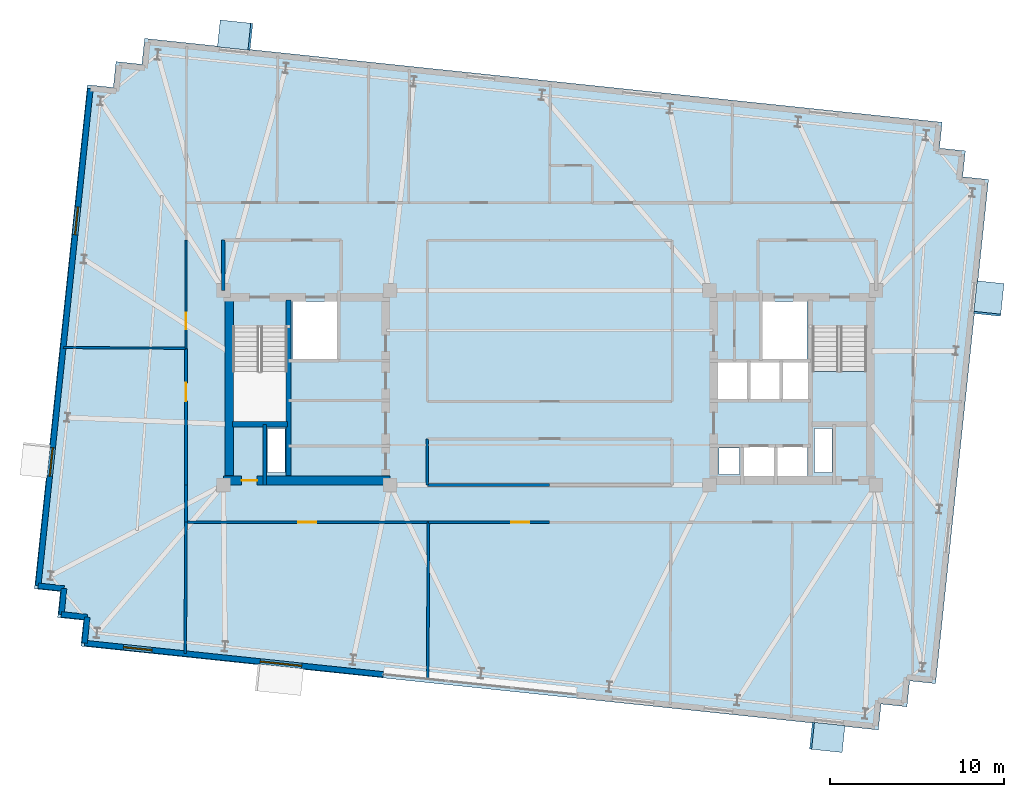
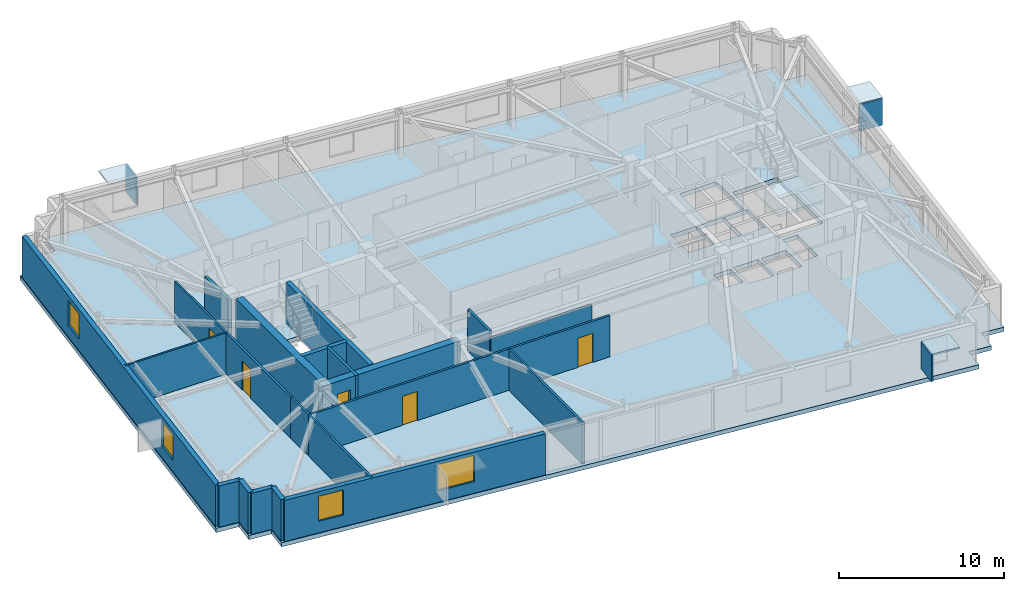
# One storey, part 7 of 12: 22 walls, 6 plates, 5 doors, 4 windows, 2 slabs, 9 openings, 1 element without a shape of its own.
"""IFC4 building model written with IfcOpenShell, lengths in metres."""

from ifc_helpers import new_model, si_unit, direction, frame, frame_2d, origin, origin_2d, place, context, subcontext, project, spatial, polyline, rectangle, outline, extrude, material, layer, layer_set, type_object, element, fill, aggregate, save


model = new_model("IFC4")

# Units and contexts
model_context = context("Model", 3, precision=1e-05, world=origin(), true_north=direction((0.0, 1.0)))
body_context = subcontext(model_context, "Body", "Model", "MODEL_VIEW")
ifc_project = project(units=[si_unit("LENGTHUNIT", "METRE"), si_unit("AREAUNIT", "SQUARE_METRE"), si_unit("VOLUMEUNIT", "CUBIC_METRE"), si_unit("PLANEANGLEUNIT", "RADIAN"), si_unit("MASSUNIT", "GRAM", prefix="KILO")], contexts=[model_context])

# Site, building, storey
site_placement = place(None, origin())
site = spatial("IfcSite", under=ifc_project, at=site_placement, CompositionType="ELEMENT")
building_placement = place(site_placement, origin())
building = spatial("IfcBuilding", under=site, at=building_placement, Name="Qobustan Lattice House", CompositionType="ELEMENT")
storey_placement = place(building_placement, frame((0.0, 0.0, 203.10009765625)))
storey = spatial("IfcBuildingStorey", under=building, at=storey_placement, Name="L57", CompositionType="ELEMENT", Elevation=203.10009765625)

# Plates
ifc_material_1 = material(Name="Qobustan limestone GFRC", Category="masonry")
ifc_layer_1 = layer(ifc_material_1, 0.1201171875)
ifc_layer_set_1 = layer_set([ifc_layer_1], Name="Qobustan limestone GFRC")
plate_type = type_object("IfcPlateType", Name="SHD-HOOD-BROW", PredefinedType="USERDEFINED", material=ifc_layer_set_1)
plate_1_placement = place(storey_placement, frame((-18.12158203125, 20.304443359375, 2.699951171875), z_axis=(0.0, 0.0, 1.0), x_axis=(0.994521895368, -0.104528463268, 0.0)))
element("IfcPlate", 1, at=plate_1_placement, inside=storey, type_object=plate_type, Name="L57 splayed Qobustan stone hood brow", ObjectType="SUNSHADE", PredefinedType="USERDEFINED", context=body_context, shape_type="SweptSolid", body=[
    extrude(rectangle(XDim=1.889892578125, YDim=1.56005859375, at=origin_2d()), origin(), (0.0, 0.0, 1.0), 0.1201171875),
])
plate_2_placement = place(storey_placement, frame((-17.2412109375, 20.2119140625, 0.7900390625), z_axis=(0.0, 0.0, 1.0), x_axis=(0.994521895368, -0.104528463268, 0.0)))
element("IfcPlate", 2, at=plate_2_placement, inside=storey, type_object=plate_type, Name="L57 splayed Qobustan stone hood cheek", ObjectType="SUNSHADE", PredefinedType="USERDEFINED", context=body_context, shape_type="SweptSolid", body=[
    extrude(rectangle(XDim=0.1201171875, YDim=1.56005859375, at=origin_2d()), origin(), (0.0, 0.0, 1.0), 1.969970703125),
])
plate_3_placement = place(storey_placement, frame((25.29638671875, 5.134521484375, 2.699951171875), z_axis=(0.0, 0.0, 1.0), x_axis=(-0.104528463268, -0.994521895368, 0.0)))
element("IfcPlate", 3, at=plate_3_placement, inside=storey, type_object=plate_type, Name="L57 splayed Qobustan stone hood brow", ObjectType="SUNSHADE", PredefinedType="USERDEFINED", context=body_context, shape_type="SweptSolid", body=[
    extrude(rectangle(XDim=1.889892578125, YDim=1.56005859375, at=origin_2d()), origin(), (0.0, 0.0, 1.0), 0.1201171875),
])
plate_4_placement = place(storey_placement, frame((25.203857421875, 4.25439453125, 0.7900390625), z_axis=(0.0, 0.0, 1.0), x_axis=(-0.104528463268, -0.994521895368, 0.0)))
element("IfcPlate", 4, at=plate_4_placement, inside=storey, type_object=plate_type, Name="L57 splayed Qobustan stone hood cheek", ObjectType="SUNSHADE", PredefinedType="USERDEFINED", context=body_context, shape_type="SweptSolid", body=[
    extrude(rectangle(XDim=0.1201171875, YDim=1.56005859375, at=origin_2d()), origin(), (0.0, 0.0, 1.0), 1.969970703125),
])
plate_5_placement = place(storey_placement, frame((15.990234375, -20.142822265625, 2.699951171875), z_axis=(0.0, 0.0, 1.0), x_axis=(-0.994521895368, 0.104528463268, 0.0)))
element("IfcPlate", 5, at=plate_5_placement, inside=storey, type_object=plate_type, Name="L57 splayed Qobustan stone hood brow", ObjectType="SUNSHADE", PredefinedType="USERDEFINED", context=body_context, shape_type="SweptSolid", body=[
    extrude(rectangle(XDim=1.889892578125, YDim=1.56005859375, at=origin_2d()), origin(), (0.0, 0.0, 1.0), 0.1201171875),
])
plate_6_placement = place(storey_placement, frame((15.110107421875, -20.05029296875, 0.7900390625), z_axis=(0.0, 0.0, 1.0), x_axis=(-0.994521895368, 0.104528463268, 0.0)))
element("IfcPlate", 6, at=plate_6_placement, inside=storey, type_object=plate_type, Name="L57 splayed Qobustan stone hood cheek", ObjectType="SUNSHADE", PredefinedType="USERDEFINED", context=body_context, shape_type="SweptSolid", body=[
    extrude(rectangle(XDim=0.1201171875, YDim=1.56005859375, at=origin_2d()), origin(), (0.0, 0.0, 1.0), 1.969970703125),
])

# Slab
ifc_material_2 = material(Name="Concrete C40/50", Category="concrete")
ifc_layer_2 = layer(ifc_material_2, 0.31005859375)
ifc_layer_set_2 = layer_set([ifc_layer_2], Name="Concrete C40/50")
slab_type_1 = type_object("IfcSlabType", Name="SLB-FLR-310", PredefinedType="FLOOR", material=ifc_layer_set_2)
slab_1_placement = place(storey_placement, frame((0.0, 0.0, -0.31005859375)))
element("IfcSlab", 7, at=slab_1_placement, inside=storey, type_object=slab_type_1, Name="L57 structural floor slab", PredefinedType="FLOOR", context=body_context, shape_type="SweptSolid", body=[
    extrude(outline(polyline([(-27.01318359375, -14.888916015625), (18.933837890625, -19.71826171875), (19.090576171875, -18.226318359375), (20.582275390625, -18.38330078125), (20.739013671875, -16.891357421875), (22.23095703125, -17.048095703125), (25.283203125, 11.99169921875), (23.79150390625, 12.148681640625), (23.947998046875, 13.640380859375), (22.456298828125, 13.797119140625), (22.61328125, 15.2890625), (-23.333740234375, 20.1181640625), (-23.490478515625, 18.62646484375), (-24.982421875, 18.783203125), (-25.13916015625, 17.29150390625), (-26.630859375, 17.4482421875), (-29.68310546875, -11.591796875), (-28.19140625, -11.74853515625), (-28.34814453125, -13.240478515625), (-26.8564453125, -13.397216796875), (-27.01318359375, -14.888916015625)]), holes=[polyline([(-18.25, -2.050048828125), (-18.25, 3.489990234375), (-15.1298828125, 3.489990234375), (-15.1298828125, -2.050048828125), (-18.25, -2.050048828125)]), polyline([(15.1298828125, -2.050048828125), (15.1298828125, 3.489990234375), (18.25, 3.489990234375), (18.25, -2.050048828125), (15.1298828125, -2.050048828125)]), polyline([(-14.820068359375, 1.64990234375), (-14.820068359375, 4.9599609375), (-12.25, 4.9599609375), (-12.25, 1.64990234375), (-14.820068359375, 1.64990234375)]), polyline([(12.25, 1.64990234375), (12.25, 4.9599609375), (14.820068359375, 4.9599609375), (14.820068359375, 1.64990234375), (12.25, 1.64990234375)]), polyline([(-16.260009765625, -4.8798828125), (-16.260009765625, -2.360107421875), (-15.260009765625, -2.360107421875), (-15.260009765625, -4.8798828125), (-16.260009765625, -4.8798828125)]), polyline([(15.260009765625, -4.8798828125), (15.260009765625, -2.360107421875), (16.260009765625, -2.360107421875), (16.260009765625, -4.8798828125), (15.260009765625, -4.8798828125)]), polyline([(11.179931640625, -5.35009765625), (11.179931640625, -3.419921875), (12.919921875, -3.419921875), (12.919921875, -5.35009765625), (11.179931640625, -5.35009765625)]), polyline([(13.1201171875, -5.35009765625), (13.1201171875, -3.419921875), (14.85009765625, -3.419921875), (14.85009765625, -5.35009765625), (13.1201171875, -5.35009765625)]), polyline([(9.760009765625, -5.0), (9.760009765625, -3.47998046875), (10.93994140625, -3.47998046875), (10.93994140625, -5.0), (9.760009765625, -5.0)]), polyline([(13.360107421875, -0.679931640625), (13.360107421875, 1.47998046875), (14.97998046875, 1.47998046875), (14.97998046875, -0.679931640625), (13.360107421875, -0.679931640625)]), polyline([(9.6201171875, -0.679931640625), (9.6201171875, 1.47998046875), (11.43994140625, 1.47998046875), (11.43994140625, -0.679931640625), (9.6201171875, -0.679931640625)]), polyline([(11.5, -0.679931640625), (11.5, 1.47998046875), (13.320068359375, 1.47998046875), (13.320068359375, -0.679931640625), (11.5, -0.679931640625)])]), origin(), (0.0, 0.0, 1.0), 0.31005859375),
])

# Stair, slab
ifc_material_3 = material(Name="Concrete C40/50", Category="concrete")
stair_type = type_object("IfcStairType", Name="STR-CORE-DOGLEG", PredefinedType="HALF_TURN_STAIR", material=ifc_material_3)
stair_placement = place(storey_placement, origin())
stair = element("IfcStair", 8, at=stair_placement, inside=storey, type_object=stair_type, Name="L57 East protected exit stair ST-E1", PredefinedType="HALF_TURN_STAIR")
ifc_material_4 = material(Name="Concrete C40/50", Category="concrete")
ifc_layer_3 = layer(ifc_material_4, 0.199951171875)
ifc_layer_set_3 = layer_set([ifc_layer_3], Name="Concrete C40/50")
slab_type_2 = type_object("IfcSlabType", Name="SLB-LANDING-200", PredefinedType="LANDING", material=ifc_layer_set_3)
slab_2_placement = place(storey_placement, frame((0.0, 0.0, 1.474853515625)))
slab_2 = element("IfcSlab", 9, at=slab_2_placement, type_object=slab_type_2, Name="ST-E1 landing 1", PredefinedType="LANDING", context=body_context, shape_type="SweptSolid", body=[
    extrude(outline(polyline([(15.1298828125, 0.93505859375), (15.1298828125, -2.050048828125), (18.25, -2.050048828125), (18.25, 0.93505859375), (15.1298828125, 0.93505859375)])), origin(), (0.0, 0.0, 1.0), 0.199951171875),
])
aggregate(stair, [slab_2])

# Wall, opening, door
ifc_material_5 = material(Name="Concrete C50/60", Category="concrete")
ifc_layer_4 = layer(ifc_material_5, 0.5)
ifc_layer_set_4 = layer_set([ifc_layer_4], Name="Concrete C50/60")
wall_type_1 = type_object("IfcWallType", Name="WAL-CORE-500", PredefinedType="SHEAR", material=ifc_layer_set_4)
wall_1_placement = place(storey_placement, frame((-18.800048828125, -5.35009765625, 0.0), z_axis=(0.0, 0.0, 1.0), x_axis=(1.0, 0.0, 0.0)))
wall_1 = element("IfcWall", 10, at=wall_1_placement, inside=storey, type_object=wall_type_1, Name="L57 split-core shear wall CW-S", PredefinedType="SHEAR", context=body_context, shape_type="SweptSolid", body=[
    extrude(rectangle(XDim=9.60009765625, YDim=0.5, at=frame_2d((4.800048828125, 0.0))), origin(), (0.0, 0.0, 1.0), 3.039794921875),
])
opening_1_placement = place(wall_1_placement, frame((1.050048828125, 0.0, 0.0)))
opening_1 = element("IfcOpeningElement", 11, at=opening_1_placement, cuts=wall_1, Name="Opening RD-01", PredefinedType="OPENING", context=body_context, shape_type="SweptSolid", body=[
    extrude(rectangle(XDim=0.89990234375, YDim=2.10009765625, at=frame_2d((0.449951171875, 1.050048828125))), frame((0.0, 0.260009765625, 0.0), z_axis=(0.0, -1.0, 0.0), x_axis=(1.0, 0.0, 0.0)), (0.0, 0.0, 1.0), 0.52001953125),
])
ifc_material_6 = material(Name="Persian walnut timber and steel frame door", Category="steel")
door_type_1 = type_object("IfcDoorType", Name="DOR-RISER-FD-900x2100", OperationType="NOTDEFINED", PredefinedType="DOOR", material=ifc_material_6)
door_1_placement = place(opening_1_placement, origin())
door_1 = element("IfcDoor", 12, at=door_1_placement, inside=storey, type_object=door_type_1, Name="L57 core service riser access door W", OperationType="SINGLE_SWING_RIGHT", OverallHeight=2.10009765625, OverallWidth=0.89990234375, PredefinedType="DOOR", context=body_context, shape_type="SweptSolid", body=[
    extrude(rectangle(XDim=0.89990234375, YDim=2.10009765625, at=frame_2d((0.449951171875, 1.050048828125))), frame((0.0, 0.02490234375, 0.0), z_axis=(0.0, -1.0, 0.0), x_axis=(1.0, 0.0, 0.0)), (0.0, 0.0, 1.0), 0.050048828125),
])
fill(opening_1, door_1)

# Walls
wall_2_placement = place(storey_placement, frame((-18.4599609375, -5.050048828125, 0.0), z_axis=(0.0, 0.0, 1.0), x_axis=(0.0, 1.0, 0.0)))
element("IfcWall", 13, at=wall_2_placement, inside=storey, type_object=wall_type_1, Name="L57 split-core shear wall CW-W", PredefinedType="SHEAR", context=body_context, shape_type="SweptSolid", body=[
    extrude(rectangle(XDim=10.10009765625, YDim=0.5, at=frame_2d((5.050048828125, 0.0))), origin(), (0.0, 0.0, 1.0), 3.039794921875),
])
ifc_material_7 = material(Name="Concrete C50/60", Category="concrete")
ifc_layer_5 = layer(ifc_material_7, 0.280029296875)
ifc_layer_set_5 = layer_set([ifc_layer_5], Name="Concrete C50/60")
wall_type_2 = type_object("IfcWallType", Name="WAL-CORE-SPINE-280", PredefinedType="SHEAR", material=ifc_layer_set_5)
wall_3_placement = place(storey_placement, frame((-15.050048828125, -5.050048828125, 0.0), z_axis=(0.0, 0.0, 1.0), x_axis=(0.0, 1.0, 0.0)))
element("IfcWall", 14, at=wall_3_placement, inside=storey, type_object=wall_type_2, Name="L57 split-core shear wall CW-M", PredefinedType="SHEAR", context=body_context, shape_type="SweptSolid", body=[
    extrude(rectangle(XDim=10.10009765625, YDim=0.300048828125, at=frame_2d((5.050048828125, 0.0))), origin(), (0.0, 0.0, 1.0), 3.039794921875),
])
wall_4_placement = place(storey_placement, frame((-18.280029296875, -2.110107421875, 0.0), z_axis=(0.0, 0.0, 1.0), x_axis=(1.0, 0.0, 0.0)))
element("IfcWall", 15, at=wall_4_placement, inside=storey, type_object=wall_type_2, Name="L57 split-core shear wall CW-ST", PredefinedType="SHEAR", context=body_context, shape_type="SweptSolid", body=[
    extrude(rectangle(XDim=3.179931640625, YDim=0.300048828125, at=frame_2d((1.58984375, 0.0))), origin(), (0.0, 0.0, 1.0), 3.039794921875),
])
ifc_material_8 = material(Name="Precast concrete C40/50", Category="concrete")
ifc_layer_6 = layer(ifc_material_8, 0.320068359375)
ifc_layer_set_6 = layer_set([ifc_layer_6], Name="Precast concrete C40/50")
wall_type_3 = type_object("IfcWallType", Name="WAL-EXT-STONE-320", PredefinedType="SOLIDWALL", material=ifc_layer_set_6)
for number, where, z_axis, x_axis, name in (
    (16, (-26.79345703125, -14.7109375, 0.0), (0.0, 0.0, 1.0), (0.104498377516, 0.994525057048, 0.0), "L57 exterior limestone-clad wall 1"),
    (17, (-26.63671875, -13.21923828125, 0.0), (0.0, 0.0, 1.0), (-0.994525057048, 0.104498377516, 0.0), "L57 exterior limestone-clad wall 2"),
):
    element("IfcWall", number, at=place(storey_placement, frame(where, z_axis=z_axis, x_axis=x_axis)), inside=storey, type_object=wall_type_3, Name=name, PredefinedType="SOLIDWALL", context=body_context, shape_type="SweptSolid", body=[
        extrude(rectangle(XDim=1.5, YDim=0.320068359375, at=frame_2d((0.75, 0.0))), origin(), (0.0, 0.0, 1.0), 3.039794921875),
    ])
wall_5_placement = place(storey_placement, frame((-28.12841796875, -13.0625, 0.0), z_axis=(0.0, 0.0, 1.0), x_axis=(0.104481464157, 0.994526834051, 0.0)))
element("IfcWall", 18, at=wall_5_placement, inside=storey, type_object=wall_type_3, Name="L57 exterior limestone-clad wall 3", PredefinedType="SOLIDWALL", context=body_context, shape_type="SweptSolid", body=[
    extrude(rectangle(XDim=1.500244140625, YDim=0.320068359375, at=frame_2d((0.75, 0.0))), origin(), (0.0, 0.0, 1.0), 3.039794921875),
])
wall_6_placement = place(storey_placement, frame((-27.9716796875, -11.570556640625, 0.0), z_axis=(0.0, 0.0, 1.0), x_axis=(-0.994525057048, 0.104498377516, 0.0)))
element("IfcWall", 19, at=wall_6_placement, inside=storey, type_object=wall_type_3, Name="L57 exterior limestone-clad wall 4", PredefinedType="SOLIDWALL", context=body_context, shape_type="SweptSolid", body=[
    extrude(rectangle(XDim=1.5, YDim=0.320068359375, at=frame_2d((0.75, 0.0))), origin(), (0.0, 0.0, 1.0), 3.039794921875),
])

# Wall, openings, windows
wall_7_placement = place(storey_placement, frame((-29.46337890625, -11.413818359375, 0.0), z_axis=(0.0, 0.0, 1.0), x_axis=(0.104530779244, 0.994521651947, 0.0)))
wall_7 = element("IfcWall", 20, at=wall_7_placement, inside=storey, type_object=wall_type_3, Name="L57 exterior limestone-clad wall 5", PredefinedType="SOLIDWALL", context=body_context, shape_type="SweptSolid", body=[
    extrude(rectangle(XDim=28.800048828125, YDim=0.320068359375, at=frame_2d((14.39990234375, 0.0))), origin(), (0.0, 0.0, 1.0), 3.039794921875),
])
opening_2_placement = place(wall_7_placement, frame((6.35498046875, 0.0, 0.85009765625)))
opening_2 = element("IfcOpeningElement", 21, at=opening_2_placement, cuts=wall_7, Name="Opening WN-09", PredefinedType="OPENING", context=body_context, shape_type="SweptSolid", body=[
    extrude(rectangle(XDim=1.64990234375, YDim=1.85009765625, at=frame_2d((0.824951171875, 0.925048828125))), frame((0.0, 0.169921875, 0.0), z_axis=(0.0, -1.0, 0.0), x_axis=(1.0, 0.0, 0.0)), (0.0, 0.0, 1.0), 0.340087890625),
])
opening_3_placement = place(wall_7_placement, frame((20.338623046875, 0.0, 0.85009765625)))
opening_3 = element("IfcOpeningElement", 22, at=opening_3_placement, cuts=wall_7, Name="Opening WN-13", PredefinedType="OPENING", context=body_context, shape_type="SweptSolid", body=[
    extrude(rectangle(XDim=1.60009765625, YDim=1.85009765625, at=frame_2d((0.800048828125, 0.925048828125))), frame((0.0, 0.169921875, 0.0), z_axis=(0.0, -1.0, 0.0), x_axis=(1.0, 0.0, 0.0)), (0.0, 0.0, 1.0), 0.340087890625),
])
ifc_material_9 = material(Name="Double-glazed low-E aluminium window", Category="aluminium")
window_type_1 = type_object("IfcWindowType", Name="WIN-BED-1600x1850", PartitioningType="SINGLE_PANEL", PredefinedType="WINDOW", material=ifc_material_9)
window_1_placement = place(opening_3_placement, origin())
window_1 = element("IfcWindow", 23, at=window_1_placement, inside=storey, type_object=window_type_1, Name="L57 Music and podcast studio window", OverallHeight=1.85009765625, OverallWidth=1.60009765625, PartitioningType="SINGLE_PANEL", PredefinedType="WINDOW", context=body_context, shape_type="SweptSolid", body=[
    extrude(rectangle(XDim=1.60009765625, YDim=1.85009765625, at=frame_2d((0.800048828125, 0.925048828125))), frame((0.0, 0.030029296875, 0.0), z_axis=(0.0, -1.0, 0.0), x_axis=(1.0, 0.0, 0.0)), (0.0, 0.0, 1.0), 0.06005859375),
])
fill(opening_3, window_1)
ifc_material_10 = material(Name="Double-glazed low-E aluminium window", Category="aluminium")
window_type_2 = type_object("IfcWindowType", Name="WIN-STU-1650x1850", PartitioningType="SINGLE_PANEL", PredefinedType="WINDOW", material=ifc_material_10)
window_2_placement = place(opening_2_placement, origin())
window_2 = element("IfcWindow", 24, at=window_2_placement, inside=storey, type_object=window_type_2, Name="L57 Academic seminar room window", OverallHeight=1.85009765625, OverallWidth=1.64990234375, PartitioningType="SINGLE_PANEL", PredefinedType="WINDOW", context=body_context, shape_type="SweptSolid", body=[
    extrude(rectangle(XDim=1.64990234375, YDim=1.85009765625, at=frame_2d((0.824951171875, 0.925048828125))), frame((0.0, 0.030029296875, 0.0), z_axis=(0.0, -1.0, 0.0), x_axis=(1.0, 0.0, 0.0)), (0.0, 0.0, 1.0), 0.06005859375),
])
fill(opening_2, window_2)

wall_8_placement = place(storey_placement, frame((-9.588134765625, -16.519287109375, 0.0), z_axis=(0.0, 0.0, 1.0), x_axis=(-0.994521911171, 0.104528312915, 0.0)))
wall_8 = element("IfcWall", 25, at=wall_8_placement, inside=storey, type_object=wall_type_3, Name="L57 iwan flank stone wall B", PredefinedType="SOLIDWALL", context=body_context, shape_type="SweptSolid", body=[
    extrude(rectangle(XDim=17.300048828125, YDim=0.320068359375, at=frame_2d((8.64990234375, 0.0))), origin(), (0.0, 0.0, 1.0), 3.039794921875),
])
opening_4_placement = place(wall_8_placement, frame((4.716796875, 0.0, 0.85009765625)))
opening_4 = element("IfcOpeningElement", 26, at=opening_4_placement, cuts=wall_8, Name="Opening WN-10", PredefinedType="OPENING", context=body_context, shape_type="SweptSolid", body=[
    extrude(rectangle(XDim=2.39990234375, YDim=1.949951171875, at=frame_2d((1.199951171875, 0.97509765625))), frame((0.0, 0.169921875, 0.0), z_axis=(0.0, -1.0, 0.0), x_axis=(1.0, 0.0, 0.0)), (0.0, 0.0, 1.0), 0.340087890625),
])
opening_5_placement = place(wall_8_placement, frame((13.3916015625, 0.0, 0.85009765625)))
opening_5 = element("IfcOpeningElement", 27, at=opening_5_placement, cuts=wall_8, Name="Opening WN-09", PredefinedType="OPENING", context=body_context, shape_type="SweptSolid", body=[
    extrude(rectangle(XDim=1.64990234375, YDim=1.85009765625, at=frame_2d((0.824951171875, 0.925048828125))), frame((0.0, 0.169921875, 0.0), z_axis=(0.0, -1.0, 0.0), x_axis=(1.0, 0.0, 0.0)), (0.0, 0.0, 1.0), 0.340087890625),
])
ifc_material_11 = material(Name="Double-glazed low-E aluminium window", Category="aluminium")
window_type_3 = type_object("IfcWindowType", Name="WIN-LNG-2400x1950", PartitioningType="SINGLE_PANEL", PredefinedType="WINDOW", material=ifc_material_11)
window_3_placement = place(opening_4_placement, origin())
window_3 = element("IfcWindow", 28, at=window_3_placement, inside=storey, type_object=window_type_3, Name="L57 Walnut iwan sky lounge S1 window", OverallHeight=1.949951171875, OverallWidth=2.39990234375, PartitioningType="SINGLE_PANEL", PredefinedType="WINDOW", context=body_context, shape_type="SweptSolid", body=[
    extrude(rectangle(XDim=2.39990234375, YDim=1.949951171875, at=frame_2d((1.199951171875, 0.97509765625))), frame((0.0, 0.030029296875, 0.0), z_axis=(0.0, -1.0, 0.0), x_axis=(1.0, 0.0, 0.0)), (0.0, 0.0, 1.0), 0.06005859375),
])
fill(opening_4, window_3)
window_4_placement = place(opening_5_placement, origin())
window_4 = element("IfcWindow", 29, at=window_4_placement, inside=storey, type_object=window_type_2, Name="L57 Academic seminar room window", OverallHeight=1.85009765625, OverallWidth=1.64990234375, PartitioningType="SINGLE_PANEL", PredefinedType="WINDOW", context=body_context, shape_type="SweptSolid", body=[
    extrude(rectangle(XDim=1.64990234375, YDim=1.85009765625, at=frame_2d((0.824951171875, 0.925048828125))), frame((0.0, 0.030029296875, 0.0), z_axis=(0.0, -1.0, 0.0), x_axis=(1.0, 0.0, 0.0)), (0.0, 0.0, 1.0), 0.06005859375),
])
fill(opening_5, window_4)

# Wall, opening, door
ifc_material_12 = material(Name="Lightweight acoustic stud partition", Category="gypsum")
ifc_layer_7 = layer(ifc_material_12, 0.125)
ifc_layer_set_7 = layer_set([ifc_layer_7], Name="Lightweight acoustic stud partition")
wall_type_4 = type_object("IfcWallType", Name="WAL-PART-125", PredefinedType="PARTITIONING", material=ifc_layer_set_7)
wall_9_placement = place(storey_placement, frame((-20.949951171875, 2.26708984375, 0.0), z_axis=(0.0, 0.0, 1.0), x_axis=(0.0, 1.0, 0.0)))
wall_9 = element("IfcWall", 30, at=wall_9_placement, inside=storey, type_object=wall_type_4, Name="L57 interior partition 52", PredefinedType="PARTITIONING", context=body_context, shape_type="SweptSolid", body=[
    extrude(rectangle(XDim=6.23291015625, YDim=0.125, at=frame_2d((3.116455078125, 0.0))), origin(), (0.0, 0.0, 1.0), 3.039794921875),
])
opening_6_placement = place(wall_9_placement, frame((1.095458984375, 0.0, 0.0)))
opening_6 = element("IfcOpeningElement", 31, at=opening_6_placement, cuts=wall_9, Name="Opening ID-01", PredefinedType="OPENING", context=body_context, shape_type="SweptSolid", body=[
    extrude(rectangle(XDim=0.949951171875, YDim=2.10009765625, at=frame_2d((0.47509765625, 1.050048828125))), frame((0.0, 0.072509765625, 0.0), z_axis=(0.0, -1.0, 0.0), x_axis=(1.0, 0.0, 0.0)), (0.0, 0.0, 1.0), 0.14501953125),
])
ifc_material_13 = material(Name="Persian walnut timber and steel frame door", Category="steel")
door_type_2 = type_object("IfcDoorType", Name="DOR-ROOM-950x2100", OperationType="NOTDEFINED", PredefinedType="DOOR", material=ifc_material_13)
door_2_placement = place(opening_6_placement, origin())
door_2 = element("IfcDoor", 32, at=door_2_placement, inside=storey, type_object=door_type_2, Name="L57 West wing spine gallery to Music and podcast studio door", OperationType="SINGLE_SWING_RIGHT", OverallHeight=2.10009765625, OverallWidth=0.949951171875, PredefinedType="DOOR", context=body_context, shape_type="SweptSolid", body=[
    extrude(rectangle(XDim=0.949951171875, YDim=2.10009765625, at=frame_2d((0.47509765625, 1.050048828125))), frame((0.0, 0.02490234375, 0.0), z_axis=(0.0, -1.0, 0.0), x_axis=(1.0, 0.0, 0.0)), (0.0, 0.0, 1.0), 0.050048828125),
])
fill(opening_6, door_2)

# Walls
wall_10_placement = place(storey_placement, frame((-28.020751953125, 2.310791015625, 0.0), z_axis=(0.0, 0.0, 1.0), x_axis=(0.99998090118, -0.006180394355, 0.0)))
element("IfcWall", 33, at=wall_10_placement, inside=storey, type_object=wall_type_4, Name="L57 interior partition 61", PredefinedType="PARTITIONING", context=body_context, shape_type="SweptSolid", body=[
    extrude(rectangle(XDim=7.071044921875, YDim=0.125, at=frame_2d((3.53564453125, 0.0))), origin(), (0.0, 0.0, 1.0), 3.039794921875),
])
ifc_material_14 = material(Name="Acoustic twin-stud gypsum partition", Category="gypsum")
ifc_layer_8 = layer(ifc_material_14, 0.14990234375)
ifc_layer_set_8 = layer_set([ifc_layer_8], Name="Acoustic twin-stud gypsum partition")
wall_type_5 = type_object("IfcWallType", Name="WAL-PART-150", PredefinedType="PARTITIONING", material=ifc_layer_set_8)
wall_11_placement = place(storey_placement, frame((-20.949951171875, -7.75, 0.0), z_axis=(0.0, 0.0, 1.0), x_axis=(0.0, 1.0, 0.0)))
element("IfcWall", 34, at=wall_11_placement, inside=storey, type_object=wall_type_5, Name="L57 interior partition 42", PredefinedType="PARTITIONING", context=body_context, shape_type="SweptSolid", body=[
    extrude(rectangle(XDim=2.14990234375, YDim=0.14990234375, at=frame_2d((1.074951171875, 0.0))), origin(), (0.0, 0.0, 1.0), 3.039794921875),
])

# Wall, opening, door
wall_12_placement = place(storey_placement, frame((-6.98291015625, -7.75, 0.0), z_axis=(0.0, 0.0, 1.0), x_axis=(-1.0, 0.0, 0.0)))
wall_12 = element("IfcWall", 35, at=wall_12_placement, inside=storey, type_object=wall_type_5, Name="L57 interior partition 43", PredefinedType="PARTITIONING", context=body_context, shape_type="SweptSolid", body=[
    extrude(rectangle(XDim=13.967041015625, YDim=0.14990234375, at=frame_2d((6.9833984375, 0.0))), origin(), (0.0, 0.0, 1.0), 3.039794921875),
])
opening_7_placement = place(wall_12_placement, frame((6.45849609375, 0.0, 0.0)))
opening_7 = element("IfcOpeningElement", 36, at=opening_7_placement, cuts=wall_12, Name="Opening ID-02", PredefinedType="OPENING", context=body_context, shape_type="SweptSolid", body=[
    extrude(rectangle(XDim=1.050048828125, YDim=2.14990234375, at=frame_2d((0.52490234375, 1.074951171875))), frame((0.0, 0.0849609375, 0.0), z_axis=(0.0, -1.0, 0.0), x_axis=(1.0, 0.0, 0.0)), (0.0, 0.0, 1.0), 0.169921875),
])
ifc_material_15 = material(Name="Persian walnut timber and steel frame door", Category="steel")
door_type_3 = type_object("IfcDoorType", Name="DOR-STUDY-1050x2150", OperationType="NOTDEFINED", PredefinedType="DOOR", material=ifc_material_15)
door_3_placement = place(opening_7_placement, origin())
door_3 = element("IfcDoor", 37, at=door_3_placement, inside=storey, type_object=door_type_3, Name="L57 South-west floor corridor to Walnut iwan sky lounge S1 door", OperationType="SINGLE_SWING_LEFT", OverallHeight=2.14990234375, OverallWidth=1.050048828125, PredefinedType="DOOR", context=body_context, shape_type="SweptSolid", body=[
    extrude(rectangle(XDim=1.050048828125, YDim=2.14990234375, at=frame_2d((0.52490234375, 1.074951171875))), frame((0.0, 0.02490234375, 0.0), z_axis=(0.0, -1.0, 0.0), x_axis=(1.0, 0.0, 0.0)), (0.0, 0.0, 1.0), 0.050048828125),
])
fill(opening_7, door_3)

wall_13_placement = place(storey_placement, frame((0.0, -7.75, 0.0), z_axis=(0.0, 0.0, 1.0), x_axis=(-1.0, 0.0, 0.0)))
wall_13 = element("IfcWall", 38, at=wall_13_placement, inside=storey, type_object=wall_type_5, Name="L57 interior partition 44", PredefinedType="PARTITIONING", context=body_context, shape_type="SweptSolid", body=[
    extrude(rectangle(XDim=6.98291015625, YDim=0.14990234375, at=frame_2d((3.491455078125, 0.0))), origin(), (0.0, 0.0, 1.0), 3.039794921875),
])
opening_8_placement = place(wall_13_placement, frame((1.176513671875, 0.0, 0.0)))
opening_8 = element("IfcOpeningElement", 39, at=opening_8_placement, cuts=wall_13, Name="Opening ID-02", PredefinedType="OPENING", context=body_context, shape_type="SweptSolid", body=[
    extrude(rectangle(XDim=1.050048828125, YDim=2.14990234375, at=frame_2d((0.52490234375, 1.074951171875))), frame((0.0, 0.0849609375, 0.0), z_axis=(0.0, -1.0, 0.0), x_axis=(1.0, 0.0, 0.0)), (0.0, 0.0, 1.0), 0.169921875),
])
door_4_placement = place(opening_8_placement, origin())
door_4 = element("IfcDoor", 40, at=door_4_placement, inside=storey, type_object=door_type_3, Name="L57 South-west floor corridor to Walnut iwan sky lounge S2 door", OperationType="SINGLE_SWING_RIGHT", OverallHeight=2.14990234375, OverallWidth=1.050048828125, PredefinedType="DOOR", context=body_context, shape_type="SweptSolid", body=[
    extrude(rectangle(XDim=1.050048828125, YDim=2.14990234375, at=frame_2d((0.52490234375, 1.074951171875))), frame((0.0, 0.02490234375, 0.0), z_axis=(0.0, -1.0, 0.0), x_axis=(1.0, 0.0, 0.0)), (0.0, 0.0, 1.0), 0.050048828125),
])
fill(opening_8, door_4)

wall_14_placement = place(storey_placement, frame((-20.949951171875, -5.60009765625, 0.0), z_axis=(0.0, 0.0, 1.0), x_axis=(0.0, 1.0, 0.0)))
wall_14 = element("IfcWall", 41, at=wall_14_placement, inside=storey, type_object=wall_type_5, Name="L57 interior partition 51", PredefinedType="PARTITIONING", context=body_context, shape_type="SweptSolid", body=[
    extrude(rectangle(XDim=7.8671875, YDim=0.14990234375, at=frame_2d((3.93359375, 0.0))), origin(), (0.0, 0.0, 1.0), 3.039794921875),
])
opening_9_placement = place(wall_14_placement, frame((4.82275390625, 0.0, 0.0)))
opening_9 = element("IfcOpeningElement", 42, at=opening_9_placement, cuts=wall_14, Name="Opening ID-02", PredefinedType="OPENING", context=body_context, shape_type="SweptSolid", body=[
    extrude(rectangle(XDim=1.050048828125, YDim=2.14990234375, at=frame_2d((0.52490234375, 1.074951171875))), frame((0.0, 0.0849609375, 0.0), z_axis=(0.0, -1.0, 0.0), x_axis=(1.0, 0.0, 0.0)), (0.0, 0.0, 1.0), 0.169921875),
])
door_5_placement = place(opening_9_placement, origin())
door_5 = element("IfcDoor", 43, at=door_5_placement, inside=storey, type_object=door_type_3, Name="L57 West wing spine gallery to Academic seminar room door", OperationType="SINGLE_SWING_LEFT", OverallHeight=2.14990234375, OverallWidth=1.050048828125, PredefinedType="DOOR", context=body_context, shape_type="SweptSolid", body=[
    extrude(rectangle(XDim=1.050048828125, YDim=2.14990234375, at=frame_2d((0.52490234375, 1.074951171875))), frame((0.0, 0.02490234375, 0.0), z_axis=(0.0, -1.0, 0.0), x_axis=(1.0, 0.0, 0.0)), (0.0, 0.0, 1.0), 0.050048828125),
])
fill(opening_9, door_5)

# Walls
wall_15_placement = place(storey_placement, frame((-20.949951171875, -7.75, 0.0), z_axis=(0.0, 0.0, 1.0), x_axis=(-0.005804668564, -0.99998315277, 0.0)))
element("IfcWall", 44, at=wall_15_placement, inside=storey, type_object=wall_type_5, Name="L57 interior partition 62", PredefinedType="PARTITIONING", context=body_context, shape_type="SweptSolid", body=[
    extrude(rectangle(XDim=7.57080078125, YDim=0.14990234375, at=frame_2d((3.785400390625, 0.0))), origin(), (0.0, 0.0, 1.0), 3.039794921875),
])
wall_16_placement = place(storey_placement, frame((-6.98291015625, -7.75, 0.0), z_axis=(0.0, 0.0, 1.0), x_axis=(-0.004861916497, -0.999988180814, 0.0)))
element("IfcWall", 45, at=wall_16_placement, inside=storey, type_object=wall_type_5, Name="L57 interior partition 75", PredefinedType="PARTITIONING", context=body_context, shape_type="SweptSolid", body=[
    extrude(rectangle(XDim=9.03857421875, YDim=0.14990234375, at=frame_2d((4.519287109375, 0.0))), origin(), (0.0, 0.0, 1.0), 3.039794921875),
])
ifc_material_16 = material(Name="High-mass acoustic twin-stud partition", Category="gypsum")
ifc_layer_9 = layer(ifc_material_16, 0.1650390625)
ifc_layer_set_9 = layer_set([ifc_layer_9], Name="High-mass acoustic twin-stud partition")
wall_type_6 = type_object("IfcWallType", Name="WAL-PART-165", PredefinedType="PARTITIONING", material=ifc_layer_set_9)
wall_17_placement = place(storey_placement, frame((-7.050048828125, -5.60009765625, 0.0), z_axis=(0.0, 0.0, 1.0), x_axis=(1.0, 0.0, 0.0)))
element("IfcWall", 46, at=wall_17_placement, inside=storey, type_object=wall_type_6, Name="L57 interior partition 45", PredefinedType="PARTITIONING", context=body_context, shape_type="SweptSolid", body=[
    extrude(rectangle(XDim=7.050048828125, YDim=0.1650390625, at=frame_2d((3.52490234375, 0.0))), origin(), (0.0, 0.0, 1.0), 2.52490234375),
])
wall_18_placement = place(storey_placement, frame((-7.050048828125, -2.949951171875, 0.0), z_axis=(0.0, 0.0, 1.0), x_axis=(0.0, -1.0, 0.0)))
element("IfcWall", 47, at=wall_18_placement, inside=storey, type_object=wall_type_6, Name="L57 interior partition 58", PredefinedType="PARTITIONING", context=body_context, shape_type="SweptSolid", body=[
    extrude(rectangle(XDim=2.650146484375, YDim=0.1650390625, at=frame_2d((1.3251953125, 0.0))), origin(), (0.0, 0.0, 1.0), 3.039794921875),
])
ifc_material_17 = material(Name="Two-hour gypsum fireboard acoustic partition", Category="gypsum")
ifc_layer_10 = layer(ifc_material_17, 0.199951171875)
ifc_layer_set_10 = layer_set([ifc_layer_10], Name="Two-hour gypsum fireboard acoustic partition")
wall_type_7 = type_object("IfcWallType", Name="WAL-PROT-200", PredefinedType="PARTITIONING", material=ifc_layer_set_10)
wall_19_placement = place(storey_placement, frame((-18.800048828125, 8.5, 0.0), z_axis=(0.0, 0.0, 1.0), x_axis=(0.0, -1.0, 0.0)))
element("IfcWall", 48, at=wall_19_placement, inside=storey, type_object=wall_type_7, Name="L57 interior partition 4", PredefinedType="PARTITIONING", context=body_context, shape_type="SweptSolid", body=[
    extrude(rectangle(XDim=2.89990234375, YDim=0.199951171875, at=frame_2d((1.449951171875, 0.0))), origin(), (0.0, 0.0, 1.0), 2.664794921875),
])
ifc_material_18 = material(Name="Concrete C40/50", Category="concrete")
ifc_layer_11 = layer(ifc_material_18, 0.199951171875)
ifc_layer_set_11 = layer_set([ifc_layer_11], Name="Concrete C40/50")
wall_type_8 = type_object("IfcWallType", Name="WAL-SHAFT-200", PredefinedType="PARTITIONING", material=ifc_layer_set_11)
wall_20_placement = place(storey_placement, frame((-16.39990234375, -5.60009765625, 0.0), z_axis=(0.0, 0.0, 1.0), x_axis=(0.0, 1.0, 0.0)))
element("IfcWall", 49, at=wall_20_placement, inside=storey, type_object=wall_type_8, Name="L57 interior partition 1", PredefinedType="PARTITIONING", context=body_context, shape_type="SweptSolid", body=[
    extrude(rectangle(XDim=3.489990234375, YDim=0.199951171875, at=frame_2d((1.7451171875, 0.0))), origin(), (0.0, 0.0, 1.0), 3.039794921875),
])

save(model, "model.ifc")
